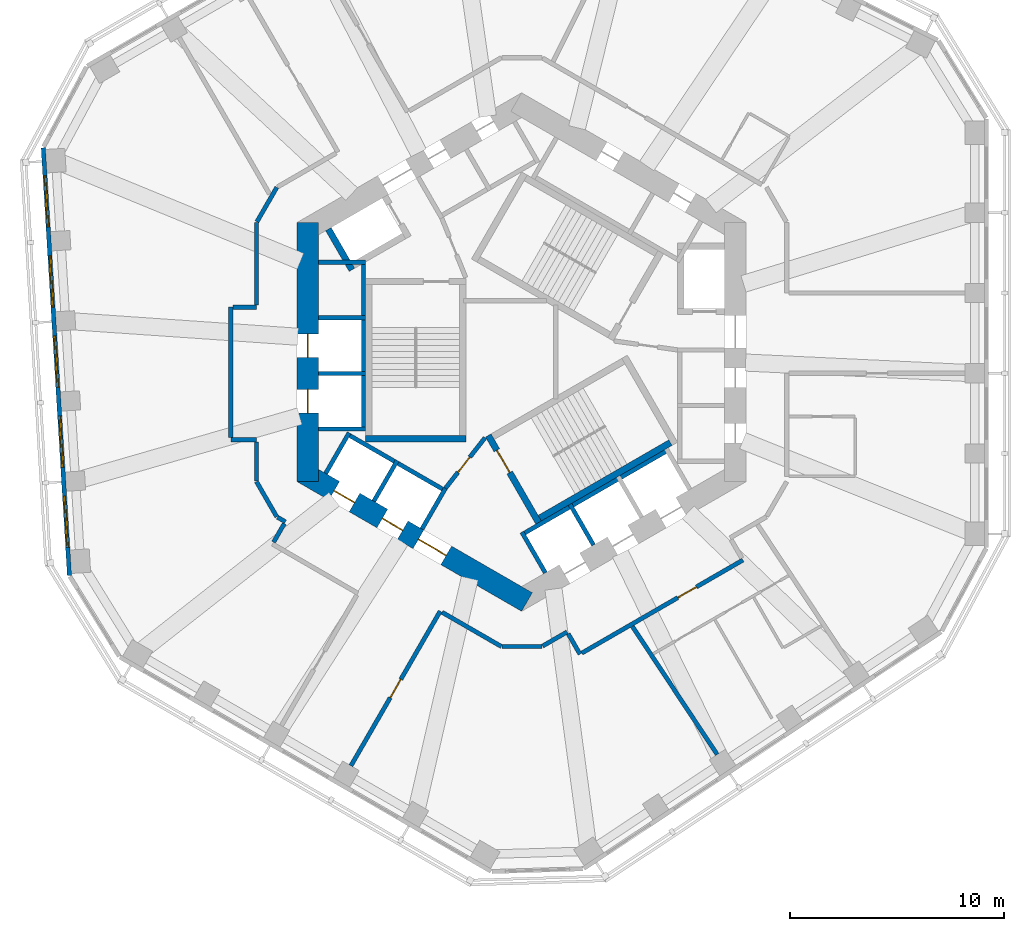
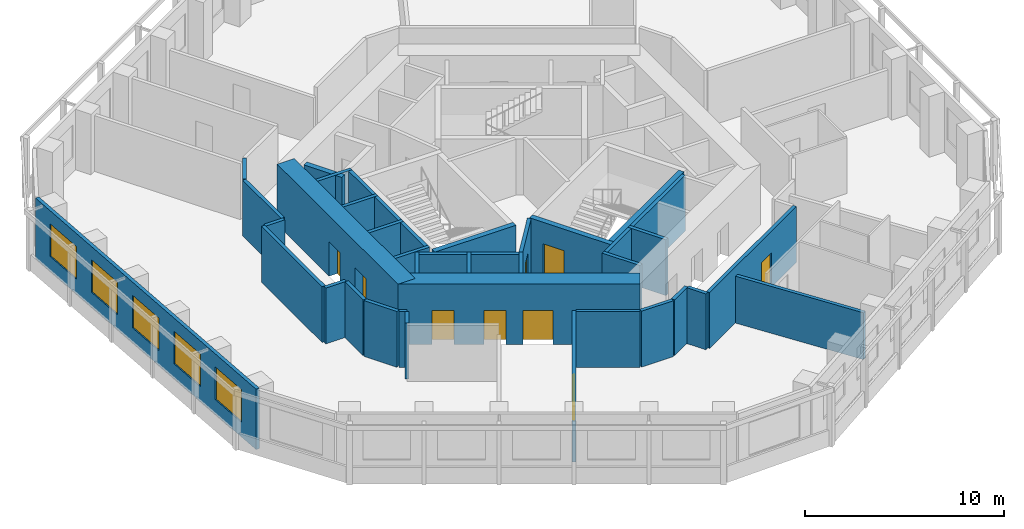
# One storey, part 4 of 10: 36 walls, 9 doors, 5 windows, 14 openings.
"""IFC4 building model written with IfcOpenShell, lengths in metres."""

import ifcopenshell
import ifcopenshell.guid

model = None  # the IFC model being written
_history = None  # IfcOwnerHistory: only IFC2X3 demands one
_inside = {}  # id of a spatial element -> (the spatial element, [elements in it])
_under = {}  # id of a project, library or spatial element -> (it, [spatial elements below it])
_declared = {}  # id of a project -> (the project, [libraries it declares])
_typed = {}  # id of a type object -> (the type object, [elements of that type])
_made_of = {}  # id of a material, layer set ... -> (it, [elements and type objects made of it])


def new_model(schema):
    """Start an empty IFC model of exactly this schema.

    Asked for "IFC4X3", IfcOpenShell would pick the latest addendum, in which some entities
    have other attributes; the version numbers below select the first issue.
    IFC2X3 requires an IfcOwnerHistory on every rooted entity: one is made here for all.
    """
    global model, _history
    if schema == "IFC4X3":
        model = ifcopenshell.file(schema_version=(4, 3, 0, 0))
    else:
        model = ifcopenshell.file(schema=schema)
    _inside.clear()
    _under.clear()
    _declared.clear()
    _typed.clear()
    _made_of.clear()
    _history = None
    if model.schema == "IFC2X3":
        org = make("IfcOrganization", Name="unknown")
        user = make(
            "IfcPersonAndOrganization",
            ThePerson=make("IfcPerson", FamilyName="unknown"),
            TheOrganization=org,
        )
        app = make(
            "IfcApplication",
            ApplicationDeveloper=org,
            Version="unknown",
            ApplicationFullName="unknown",
            ApplicationIdentifier="unknown",
        )
        _history = make(
            "IfcOwnerHistory",
            OwningUser=user,
            OwningApplication=app,
            ChangeAction="ADDED",
            CreationDate=0,
        )
    return model


def make(cls, **values):
    """One entity of the class cls with the attributes given. An attribute that is None is left unset."""
    return model.create_entity(
        cls, **{name: value for name, value in values.items() if value is not None}
    )


def rooted(cls, **values):
    """An entity with a GlobalId (a new one), such as an element, a storey or a relation."""
    return make(cls, GlobalId=ifcopenshell.guid.new(), OwnerHistory=_history, **values)


def si_unit(unit_type, name, prefix=None):
    """IfcSIUnit, for example si_unit("LENGTHUNIT", "METRE", prefix="MILLI")."""
    return make("IfcSIUnit", UnitType=unit_type, Prefix=prefix, Name=name)


def assignment(units):
    """IfcUnitAssignment: the units of a project."""
    return None if units is None else make("IfcUnitAssignment", Units=units)


def point(xyz):
    """IfcCartesianPoint."""
    return None if xyz is None else make("IfcCartesianPoint", Coordinates=xyz)


def direction(xyz):
    """IfcDirection."""
    return None if xyz is None else make("IfcDirection", DirectionRatios=xyz)


def frame(location, z_axis=None, x_axis=None):
    """IfcAxis2Placement3D, a coordinate frame: its origin and axes. An axis left out is left unset."""
    return make(
        "IfcAxis2Placement3D",
        Location=point(location),
        Axis=direction(z_axis),
        RefDirection=direction(x_axis),
    )


def frame_2d(location, x_axis=None):
    """IfcAxis2Placement2D, a coordinate frame in the plane: its origin and x axis."""
    return make(
        "IfcAxis2Placement2D", Location=point(location), RefDirection=direction(x_axis)
    )


def origin():
    """The frame at (0, 0, 0) with its axes left unset."""
    return frame((0.0, 0.0, 0.0))


def place(relative_to, where):
    """IfcLocalPlacement: puts the frame where relative to a parent placement (None: the world)."""
    return make(
        "IfcLocalPlacement", PlacementRelTo=relative_to, RelativePlacement=where
    )


def context(
    kind, dimensions, precision=None, world=None, true_north=None, identifier=None
):
    """IfcGeometricRepresentationContext, for example the 3D "Model" context."""
    return make(
        "IfcGeometricRepresentationContext",
        ContextIdentifier=identifier,
        ContextType=kind,
        CoordinateSpaceDimension=dimensions,
        Precision=precision,
        WorldCoordinateSystem=world,
        TrueNorth=true_north,
    )


def subcontext(parent, identifier, kind, view, scale=None):
    """IfcGeometricRepresentationSubContext, for example "Body" below "Model"."""
    return make(
        "IfcGeometricRepresentationSubContext",
        ContextIdentifier=identifier,
        ContextType=kind,
        ParentContext=parent,
        TargetScale=scale,
        TargetView=view,
    )


def project(units=None, contexts=None):
    """IfcProject with its units and contexts."""
    return rooted(
        "IfcProject",
        Name="project",
        RepresentationContexts=contexts,
        UnitsInContext=assignment(units),
    )


def spatial(cls, under=None, at=None, **own):
    """A site, building, storey or space (cls), placed at a placement, below another one or the project."""
    s = rooted(cls, ObjectPlacement=at, **own)
    if under is not None:
        _under.setdefault(under.id(), (under, []))[1].append(s)
    return s


def profile(cls, at=None, kind="AREA", **sizes):
    """A parametric profile (cls). Its sizes go by their IFC names, for example OverallWidth=200.0."""
    return make(cls, ProfileType=kind, Position=at, **sizes)


def rectangle(**sizes):
    """IfcRectangleProfileDef."""
    return profile("IfcRectangleProfileDef", **sizes)


def extrude(swept, where, along, depth):
    """IfcExtrudedAreaSolid: the profile swept, set in the frame where, extruded along a direction by depth."""
    return make(
        "IfcExtrudedAreaSolid",
        SweptArea=swept,
        Position=where,
        ExtrudedDirection=direction(along),
        Depth=depth,
    )


def shape(context_of_items, identifier, shape_type, items):
    """IfcShapeRepresentation: the items that make up one representation, for example the "Body"."""
    return make(
        "IfcShapeRepresentation",
        ContextOfItems=context_of_items,
        RepresentationIdentifier=identifier,
        RepresentationType=shape_type,
        Items=items,
    )


def material(Name=None, Category=None):
    """IfcMaterial."""
    return make("IfcMaterial", Name=Name, Category=Category)


def layer(
    of_material, thickness, ventilated=None, Name=None, Category=None, Priority=None
):
    """IfcMaterialLayer: one layer of a wall or slab, of a material (None: an air gap)."""
    return make(
        "IfcMaterialLayer",
        Material=of_material,
        LayerThickness=thickness,
        IsVentilated=ventilated,
        Name=Name,
        Category=Category,
        Priority=Priority,
    )


def layer_set(layers, Name=None):
    """IfcMaterialLayerSet."""
    return make("IfcMaterialLayerSet", MaterialLayers=layers, LayerSetName=Name)


def made_of(thing, what):
    """Note that an element or type object is made of a material, layer set ...; save() writes the relation."""
    if what is not None:
        _made_of.setdefault(what.id(), (what, []))[1].append(thing)
    return thing


def type_object(cls, material=None, **own):
    """A type object (cls), such as IfcWallType, which elements share."""
    return made_of(rooted(cls, **own), material)


def element(
    cls,
    number,
    at=None,
    inside=None,
    cuts=None,
    type_object=None,
    material=None,
    context=None,
    identifier="Body",
    shape_type=None,
    held_by="IfcProductDefinitionShape",
    body=None,
    shapes=None,
    **own,
):
    """One element of the class cls, such as IfcWall. Its Tag is "e" and its number.

    at: its placement. inside: the storey or other place that contains it. cuts: it is an
    opening in that element (IfcRelVoidsElement). A single representation is given by context,
    identifier, shape_type and body (its items); several are given by shapes. held_by: the class
    of the entity that holds the representations. save() writes the other relations.
    """
    e = rooted(cls, Tag="e%d" % number, ObjectPlacement=at, **own)
    if body is not None:
        shapes = [shape(context, identifier, shape_type, body)]
    if shapes is not None:
        e.Representation = make(held_by, Representations=shapes)
    if inside is not None:
        _inside.setdefault(inside.id(), (inside, []))[1].append(e)
    if cuts is not None:
        rooted(
            "IfcRelVoidsElement", RelatingBuildingElement=cuts, RelatedOpeningElement=e
        )
    if type_object is not None:
        _typed.setdefault(type_object.id(), (type_object, []))[1].append(e)
    return made_of(e, material)


def fill(opening, filler):
    """IfcRelFillsElement: the door or window that sits in an opening."""
    return rooted(
        "IfcRelFillsElement",
        RelatingOpeningElement=opening,
        RelatedBuildingElement=filler,
    )


def aggregate(whole, parts):
    """IfcRelAggregates: a whole, such as a stair, and the parts it consists of."""
    return rooted("IfcRelAggregates", RelatingObject=whole, RelatedObjects=parts)


def save(model, path):
    """Write the relations noted so far, then the file.

    IfcRelAggregates (storeys below a building ...), IfcRelContainedInSpatialStructure (elements
    in a storey), IfcRelDefinesByType, IfcRelAssociatesMaterial and IfcRelDeclares: one each for
    every whole, place, type object, material and project.
    """
    for whole, parts in _under.values():
        aggregate(whole, parts)
    for where, things in _inside.values():
        rooted(
            "IfcRelContainedInSpatialStructure",
            RelatedElements=things,
            RelatingStructure=where,
        )
    for kind, things in _typed.values():
        rooted("IfcRelDefinesByType", RelatedObjects=things, RelatingType=kind)
    for what, things in _made_of.values():
        rooted("IfcRelAssociatesMaterial", RelatedObjects=things, RelatingMaterial=what)
    for by, libraries in _declared.values():
        rooted("IfcRelDeclares", RelatingContext=by, RelatedDefinitions=libraries)
    model.write(path)


model = new_model("IFC4")

# Units and contexts
model_context = context("Model", 3, precision=1e-05, world=origin(), true_north=direction((0.0, 1.0)))
body_context = subcontext(model_context, "Body", "Model", "MODEL_VIEW")
ifc_project = project(units=[si_unit("LENGTHUNIT", "METRE"), si_unit("AREAUNIT", "SQUARE_METRE"), si_unit("VOLUMEUNIT", "CUBIC_METRE"), si_unit("PLANEANGLEUNIT", "RADIAN"), si_unit("MASSUNIT", "GRAM", prefix="KILO")], contexts=[model_context])

# Site, building, storey
site_placement = place(None, origin())
site = spatial("IfcSite", under=ifc_project, at=site_placement, CompositionType="ELEMENT")
building_placement = place(site_placement, origin())
building = spatial("IfcBuilding", under=site, at=building_placement, Name="Vanh Sen Convention Tower", CompositionType="ELEMENT")
storey_placement = place(building_placement, frame((0.0, 0.0, 191.0)))
storey = spatial("IfcBuildingStorey", under=building, at=storey_placement, Name="L47", CompositionType="ELEMENT", Elevation=191.0)

# Wall, openings, doors
ifc_material_1 = material(Name="Concrete C80/95", Category="concrete")
ifc_layer_1 = layer(ifc_material_1, 1.0)
ifc_layer_set_1 = layer_set([ifc_layer_1], Name="Concrete C80/95")
wall_type_1 = type_object("IfcWallType", Name="Core outer wall 1000 C80/95", PredefinedType="SHEAR", material=ifc_layer_set_1)
wall_1_placement = place(storey_placement, frame((-10.0, 6.062255859375, 0.0), z_axis=(0.0, 0.0, 1.0), x_axis=(0.0, -1.0, 0.0)))
wall_1 = element("IfcWall", 1, at=wall_1_placement, inside=storey, type_object=wall_type_1, Name="Core wall face W L47", PredefinedType="SHEAR", context=body_context, shape_type="SweptSolid", body=[
    extrude(rectangle(XDim=12.12451171875, YDim=1.0, at=frame_2d((6.062255859375, 0.0))), origin(), (0.0, 0.0, 1.0), 3.699951171875),
])
opening_1_placement = place(wall_1_placement, frame((5.212158203125, 0.0, 0.0)))
opening_1 = element("IfcOpeningElement", 2, at=opening_1_placement, cuts=wall_1, Name="Opening LD-HR1", PredefinedType="OPENING", context=body_context, shape_type="SweptSolid", body=[
    extrude(rectangle(XDim=1.10009765625, YDim=2.10009765625, at=frame_2d((0.550048828125, 1.050048828125))), frame((0.0, 0.510009765625, 0.0), z_axis=(0.0, -1.0, 0.0), x_axis=(1.0, 0.0, 0.0)), (0.0, 0.0, 1.0), 1.02001953125),
])
opening_2_placement = place(wall_1_placement, frame((7.812255859375, 0.0, 0.0)))
opening_2 = element("IfcOpeningElement", 3, at=opening_2_placement, cuts=wall_1, Name="Opening LD-HR2", PredefinedType="OPENING", context=body_context, shape_type="SweptSolid", body=[
    extrude(rectangle(XDim=1.10009765625, YDim=2.10009765625, at=frame_2d((0.550048828125, 1.050048828125))), frame((0.0, 0.510009765625, 0.0), z_axis=(0.0, -1.0, 0.0), x_axis=(1.0, 0.0, 0.0)), (0.0, 0.0, 1.0), 1.02001953125),
])
ifc_material_2 = material(Name="Stainless steel", Category="steel")
door_type_1 = type_object("IfcDoorType", Name="Lift landing door 1100", OperationType="DOUBLE_DOOR_SLIDING", PredefinedType="DOOR", material=ifc_material_2)
door_1_placement = place(opening_1_placement, origin())
door_1 = element("IfcDoor", 4, at=door_1_placement, inside=storey, type_object=door_type_1, Name="Lift HR1 landing door LD-HR1", OperationType="DOUBLE_DOOR_SLIDING", OverallHeight=2.10009765625, OverallWidth=1.10009765625, PredefinedType="DOOR", context=body_context, shape_type="SweptSolid", body=[
    extrude(rectangle(XDim=1.10009765625, YDim=2.10009765625, at=frame_2d((0.550048828125, 1.050048828125))), frame((0.0, 0.02490234375, 0.0), z_axis=(0.0, -1.0, 0.0), x_axis=(1.0, 0.0, 0.0)), (0.0, 0.0, 1.0), 0.050048828125),
])
fill(opening_1, door_1)
door_2_placement = place(opening_2_placement, origin())
door_2 = element("IfcDoor", 5, at=door_2_placement, inside=storey, type_object=door_type_1, Name="Lift HR2 landing door LD-HR2", OperationType="DOUBLE_DOOR_SLIDING", OverallHeight=2.10009765625, OverallWidth=1.10009765625, PredefinedType="DOOR", context=body_context, shape_type="SweptSolid", body=[
    extrude(rectangle(XDim=1.10009765625, YDim=2.10009765625, at=frame_2d((0.550048828125, 1.050048828125))), frame((0.0, 0.02490234375, 0.0), z_axis=(0.0, -1.0, 0.0), x_axis=(1.0, 0.0, 0.0)), (0.0, 0.0, 1.0), 0.050048828125),
])
fill(opening_2, door_2)

wall_2_placement = place(storey_placement, frame((-10.25, -5.629150390625, 0.0), z_axis=(0.0, 0.0, 1.0), x_axis=(0.866022616891, -0.50000482701, 0.0)))
wall_2 = element("IfcWall", 6, at=wall_2_placement, inside=storey, type_object=wall_type_1, Name="Core wall face SW L47", PredefinedType="SHEAR", context=body_context, shape_type="SweptSolid", body=[
    extrude(rectangle(XDim=12.12451171875, YDim=1.0, at=frame_2d((6.062255859375, 0.0))), origin(), (0.0, 0.0, 1.0), 3.699951171875),
])
opening_3_placement = place(wall_2_placement, frame((6.26220703125, 0.0, 0.0)))
opening_3 = element("IfcOpeningElement", 7, at=opening_3_placement, cuts=wall_2, Name="Opening D47003", PredefinedType="OPENING", context=body_context, shape_type="SweptSolid", body=[
    extrude(rectangle(XDim=1.5, YDim=2.10009765625, at=frame_2d((0.75, 1.050048828125))), frame((0.0, 0.510009765625, 0.0), z_axis=(0.0, -1.0, 0.0), x_axis=(1.0, 0.0, 0.0)), (0.0, 0.0, 1.0), 1.02001953125),
])
opening_4_placement = place(wall_2_placement, frame((1.712158203125, 0.0, 0.0)))
opening_4 = element("IfcOpeningElement", 8, at=opening_4_placement, cuts=wall_2, Name="Opening LD-HR3", PredefinedType="OPENING", context=body_context, shape_type="SweptSolid", body=[
    extrude(rectangle(XDim=1.10009765625, YDim=2.10009765625, at=frame_2d((0.550048828125, 1.050048828125))), frame((0.0, 0.510009765625, 0.0), z_axis=(0.0, -1.0, 0.0), x_axis=(1.0, 0.0, 0.0)), (0.0, 0.0, 1.0), 1.02001953125),
])
opening_5_placement = place(wall_2_placement, frame((4.312255859375, 0.0, 0.0)))
opening_5 = element("IfcOpeningElement", 9, at=opening_5_placement, cuts=wall_2, Name="Opening LD-HR4", PredefinedType="OPENING", context=body_context, shape_type="SweptSolid", body=[
    extrude(rectangle(XDim=1.10009765625, YDim=2.10009765625, at=frame_2d((0.550048828125, 1.050048828125))), frame((0.0, 0.510009765625, 0.0), z_axis=(0.0, -1.0, 0.0), x_axis=(1.0, 0.0, 0.0)), (0.0, 0.0, 1.0), 1.02001953125),
])
door_3_placement = place(opening_4_placement, origin())
door_3 = element("IfcDoor", 10, at=door_3_placement, inside=storey, type_object=door_type_1, Name="Lift HR3 landing door LD-HR3", OperationType="DOUBLE_DOOR_SLIDING", OverallHeight=2.10009765625, OverallWidth=1.10009765625, PredefinedType="DOOR", context=body_context, shape_type="SweptSolid", body=[
    extrude(rectangle(XDim=1.10009765625, YDim=2.10009765625, at=frame_2d((0.550048828125, 1.050048828125))), frame((0.0, 0.02490234375, 0.0), z_axis=(0.0, -1.0, 0.0), x_axis=(1.0, 0.0, 0.0)), (0.0, 0.0, 1.0), 0.050048828125),
])
fill(opening_4, door_3)
door_4_placement = place(opening_5_placement, origin())
door_4 = element("IfcDoor", 11, at=door_4_placement, inside=storey, type_object=door_type_1, Name="Lift HR4 landing door LD-HR4", OperationType="DOUBLE_DOOR_SLIDING", OverallHeight=2.10009765625, OverallWidth=1.10009765625, PredefinedType="DOOR", context=body_context, shape_type="SweptSolid", body=[
    extrude(rectangle(XDim=1.10009765625, YDim=2.10009765625, at=frame_2d((0.550048828125, 1.050048828125))), frame((0.0, 0.02490234375, 0.0), z_axis=(0.0, -1.0, 0.0), x_axis=(1.0, 0.0, 0.0)), (0.0, 0.0, 1.0), 0.050048828125),
])
fill(opening_5, door_4)
ifc_material_3 = material(Name="Steel S355", Category="steel")
door_type_2 = type_object("IfcDoorType", Name="Stair lobby door 1500", OperationType="DOUBLE_DOOR_SINGLE_SWING", PredefinedType="DOOR", material=ifc_material_3)
door_5_placement = place(opening_3_placement, origin())
door_5 = element("IfcDoor", 12, at=door_5_placement, inside=storey, type_object=door_type_2, Name="Stair lobby door D47003", OperationType="DOUBLE_DOOR_SINGLE_SWING", OverallHeight=2.10009765625, OverallWidth=1.5, PredefinedType="DOOR", context=body_context, shape_type="SweptSolid", body=[
    extrude(rectangle(XDim=1.5, YDim=2.10009765625, at=frame_2d((0.75, 1.050048828125))), frame((0.0, 0.02490234375, 0.0), z_axis=(0.0, -1.0, 0.0), x_axis=(1.0, 0.0, 0.0)), (0.0, 0.0, 1.0), 0.050048828125),
])
fill(opening_3, door_5)

# Walls
ifc_material_4 = material(Name="Gypsum board on steel studs with mineral wool", Category="steel")
ifc_layer_2 = layer(ifc_material_4, 0.199951171875)
ifc_layer_set_2 = layer_set([ifc_layer_2], Name="Gypsum board on steel studs with mineral wool")
wall_type_2 = type_object("IfcWallType", Name="Corridor partition wall 200", PredefinedType="PARTITIONING", material=ifc_layer_set_2)
wall_3_placement = place(storey_placement, frame((-13.60107421875, -4.10107421875, 0.0), z_axis=(0.0, 0.0, 1.0), x_axis=(1.0, 0.0, 0.0)))
element("IfcWall", 13, at=wall_3_placement, inside=storey, type_object=wall_type_2, Name="Corridor partition wall 200", PredefinedType="PARTITIONING", context=body_context, shape_type="SweptSolid", body=[
    extrude(rectangle(XDim=1.201171875, YDim=0.199951171875, at=frame_2d((0.6005859375, 0.0))), origin(), (0.0, 0.0, 1.0), 3.419921875),
])
wall_4_placement = place(storey_placement, frame((-13.60107421875, 2.10107421875, 0.0), z_axis=(0.0, 0.0, 1.0), x_axis=(0.0, -1.0, 0.0)))
element("IfcWall", 14, at=wall_4_placement, inside=storey, type_object=wall_type_2, Name="Corridor partition wall 200", PredefinedType="PARTITIONING", context=body_context, shape_type="SweptSolid", body=[
    extrude(rectangle(XDim=6.10205078125, YDim=0.199951171875, at=frame_2d((3.051025390625, 0.0))), origin(), (0.0, 0.0, 1.0), 3.419921875),
])
wall_5_placement = place(storey_placement, frame((-12.39990234375, -6.062255859375, 0.0), z_axis=(0.0, 0.0, 1.0), x_axis=(0.500022797313, -0.86601224135, 0.0)))
element("IfcWall", 15, at=wall_5_placement, inside=storey, type_object=wall_type_2, Name="Corridor partition wall 200", PredefinedType="PARTITIONING", context=body_context, shape_type="SweptSolid", body=[
    extrude(rectangle(XDim=1.89990234375, YDim=0.199951171875, at=frame_2d((0.949951171875, 0.0))), origin(), (0.0, 0.0, 1.0), 3.419921875),
])
wall_6_placement = place(storey_placement, frame((-12.39990234375, -4.200927734375, 0.0), z_axis=(0.0, 0.0, 1.0), x_axis=(0.0, -1.0, 0.0)))
element("IfcWall", 16, at=wall_6_placement, inside=storey, type_object=wall_type_2, Name="Corridor partition wall 200", PredefinedType="PARTITIONING", context=body_context, shape_type="SweptSolid", body=[
    extrude(rectangle(XDim=1.8212890625, YDim=0.199951171875, at=frame_2d((0.91064453125, 0.0))), origin(), (0.0, 0.0, 1.0), 3.419921875),
])
wall_7_placement = place(storey_placement, frame((-12.39990234375, 2.10107421875, 0.0), z_axis=(0.0, 0.0, 1.0), x_axis=(-1.0, 0.0, 0.0)))
element("IfcWall", 17, at=wall_7_placement, inside=storey, type_object=wall_type_2, Name="Corridor partition wall 200", PredefinedType="PARTITIONING", context=body_context, shape_type="SweptSolid", body=[
    extrude(rectangle(XDim=1.10107421875, YDim=0.199951171875, at=frame_2d((0.550537109375, 0.0))), origin(), (0.0, 0.0, 1.0), 3.419921875),
])
wall_8_placement = place(storey_placement, frame((-12.39990234375, 6.062255859375, 0.0), z_axis=(0.0, 0.0, 1.0), x_axis=(0.0, -1.0, 0.0)))
element("IfcWall", 18, at=wall_8_placement, inside=storey, type_object=wall_type_2, Name="Corridor partition wall 200", PredefinedType="PARTITIONING", context=body_context, shape_type="SweptSolid", body=[
    extrude(rectangle(XDim=3.861328125, YDim=0.199951171875, at=frame_2d((1.9306640625, 0.0))), origin(), (0.0, 0.0, 1.0), 3.419921875),
])
wall_9_placement = place(storey_placement, frame((-11.449951171875, 7.70751953125, 0.0), z_axis=(0.0, 0.0, 1.0), x_axis=(-0.499964847546, -0.866045698112, 0.0)))
element("IfcWall", 19, at=wall_9_placement, inside=storey, type_object=wall_type_2, Name="Corridor partition wall 200", PredefinedType="PARTITIONING", context=body_context, shape_type="SweptSolid", body=[
    extrude(rectangle(XDim=1.860107421875, YDim=0.199951171875, at=frame_2d((0.93017578125, 0.0))), origin(), (0.0, 0.0, 1.0), 3.419921875),
])
wall_10_placement = place(storey_placement, frame((-11.415283203125, -7.7275390625, 0.0), z_axis=(0.0, 0.0, 1.0), x_axis=(0.865915281873, -0.500190688257, 0.0)))
element("IfcWall", 20, at=wall_10_placement, inside=storey, type_object=wall_type_2, Name="Corridor partition wall 200", PredefinedType="PARTITIONING", context=body_context, shape_type="SweptSolid", body=[
    extrude(rectangle(XDim=0.421142578125, YDim=0.199951171875, at=frame_2d((0.21044921875, 0.0))), origin(), (0.0, 0.0, 1.0), 3.419921875),
])
wall_11_placement = place(storey_placement, frame((-11.1005859375, -8.02490234375, 0.0), z_axis=(0.0, 0.0, 1.0), x_axis=(-0.500074377092, -0.865982457891, 0.0)))
element("IfcWall", 21, at=wall_11_placement, inside=storey, type_object=wall_type_2, Name="Corridor partition wall 200", PredefinedType="PARTITIONING", context=body_context, shape_type="SweptSolid", body=[
    extrude(rectangle(XDim=1.000732421875, YDim=0.199951171875, at=frame_2d((0.50048828125, 0.0))), origin(), (0.0, 0.0, 1.0), 3.419921875),
])

# Wall, opening, door
wall_12_placement = place(storey_placement, frame((-7.983642578125, -19.3505859375, 0.0), z_axis=(0.0, 0.0, 1.0), x_axis=(0.500010139422, 0.866019549707, 0.0)))
wall_12 = element("IfcWall", 22, at=wall_12_placement, inside=storey, type_object=wall_type_2, Name="Corridor partition wall 200", PredefinedType="PARTITIONING", context=body_context, shape_type="SweptSolid", body=[
    extrude(rectangle(XDim=8.349853515625, YDim=0.199951171875, at=frame_2d((4.1748046875, 0.0))), origin(), (0.0, 0.0, 1.0), 3.419921875),
])
opening_6_placement = place(wall_12_placement, frame((3.675048828125, 0.0, 0.0)))
opening_6 = element("IfcOpeningElement", 23, at=opening_6_placement, cuts=wall_12, Name="Opening D47106", PredefinedType="OPENING", context=body_context, shape_type="SweptSolid", body=[
    extrude(rectangle(XDim=1.0, YDim=2.10009765625, at=frame_2d((0.5, 1.050048828125))), frame((0.0, 0.10986328125, 0.0), z_axis=(0.0, -1.0, 0.0), x_axis=(1.0, 0.0, 0.0)), (0.0, 0.0, 1.0), 0.219970703125),
])
ifc_material_5 = material(Name="Glazed fire door in steel frame", Category="steel")
door_type_3 = type_object("IfcDoorType", Name="Tenant entrance door 1000", OperationType="SINGLE_SWING_LEFT", PredefinedType="DOOR", material=ifc_material_5)
door_6_placement = place(opening_6_placement, origin())
door_6 = element("IfcDoor", 24, at=door_6_placement, inside=storey, type_object=door_type_3, Name="Tenant suite entrance door D47106", OperationType="SINGLE_SWING_LEFT", OverallHeight=2.10009765625, OverallWidth=1.0, PredefinedType="DOOR", context=body_context, shape_type="SweptSolid", body=[
    extrude(rectangle(XDim=1.0, YDim=2.10009765625, at=frame_2d((0.5, 1.050048828125))), frame((0.0, 0.02490234375, 0.0), z_axis=(0.0, -1.0, 0.0), x_axis=(1.0, 0.0, 0.0)), (0.0, 0.0, 1.0), 0.050048828125),
])
fill(opening_6, door_6)

# Walls
wall_13_placement = place(storey_placement, frame((-3.721923828125, -12.16943359375, 0.0), z_axis=(0.0, 0.0, 1.0), x_axis=(0.866033163891, -0.499986558861, 0.0)))
element("IfcWall", 25, at=wall_13_placement, inside=storey, type_object=wall_type_2, Name="Corridor partition wall 200", PredefinedType="PARTITIONING", context=body_context, shape_type="SweptSolid", body=[
    extrude(rectangle(XDim=3.20068359375, YDim=0.199951171875, at=frame_2d((1.600341796875, 0.0))), origin(), (0.0, 0.0, 1.0), 3.419921875),
])
wall_14_placement = place(storey_placement, frame((-0.909912109375, -13.769775390625, 0.0), z_axis=(0.0, 0.0, 1.0), x_axis=(1.0, 0.0, 0.0)))
element("IfcWall", 26, at=wall_14_placement, inside=storey, type_object=wall_type_2, Name="Corridor partition wall 200", PredefinedType="PARTITIONING", context=body_context, shape_type="SweptSolid", body=[
    extrude(rectangle(XDim=1.85986328125, YDim=0.199951171875, at=frame_2d((0.929931640625, 0.0))), origin(), (0.0, 0.0, 1.0), 3.419921875),
])
wall_15_placement = place(storey_placement, frame((0.984619140625, -13.749755859375, 0.0), z_axis=(0.0, 0.0, 1.0), x_axis=(0.866028661061, 0.499994358189, 0.0)))
element("IfcWall", 27, at=wall_15_placement, inside=storey, type_object=wall_type_2, Name="Corridor partition wall 200", PredefinedType="PARTITIONING", context=body_context, shape_type="SweptSolid", body=[
    extrude(rectangle(XDim=1.3212890625, YDim=0.199951171875, at=frame_2d((0.66064453125, 0.0))), origin(), (0.0, 0.0, 1.0), 3.419921875),
])
wall_16_placement = place(storey_placement, frame((2.1787109375, -13.17578125, 0.0), z_axis=(0.0, 0.0, 1.0), x_axis=(0.499978356969, -0.866037899034, 0.0)))
element("IfcWall", 28, at=wall_16_placement, inside=storey, type_object=wall_type_2, Name="Corridor partition wall 200", PredefinedType="PARTITIONING", context=body_context, shape_type="SweptSolid", body=[
    extrude(rectangle(XDim=1.10107421875, YDim=0.199951171875, at=frame_2d((0.550537109375, 0.0))), origin(), (0.0, 0.0, 1.0), 3.419921875),
])

# Wall, opening, door
wall_17_placement = place(storey_placement, frame((2.81591796875, -14.079345703125, 0.0), z_axis=(0.0, 0.0, 1.0), x_axis=(0.866021128829, 0.500007404367, 0.0)))
wall_17 = element("IfcWall", 29, at=wall_17_placement, inside=storey, type_object=wall_type_2, Name="Corridor partition wall 200", PredefinedType="PARTITIONING", context=body_context, shape_type="SweptSolid", body=[
    extrude(rectangle(XDim=8.701904296875, YDim=0.199951171875, at=frame_2d((4.35107421875, 0.0))), origin(), (0.0, 0.0, 1.0), 3.419921875),
])
opening_7_placement = place(wall_17_placement, frame((5.18408203125, 0.0, 0.0)))
opening_7 = element("IfcOpeningElement", 30, at=opening_7_placement, cuts=wall_17, Name="Opening D47107", PredefinedType="OPENING", context=body_context, shape_type="SweptSolid", body=[
    extrude(rectangle(XDim=1.0, YDim=2.10009765625, at=frame_2d((0.5, 1.050048828125))), frame((0.0, 0.10986328125, 0.0), z_axis=(0.0, -1.0, 0.0), x_axis=(1.0, 0.0, 0.0)), (0.0, 0.0, 1.0), 0.219970703125),
])
ifc_material_6 = material(Name="Timber fire door in steel frame", Category="steel")
door_type_4 = type_object("IfcDoorType", Name="Floor room door 1000", OperationType="SINGLE_SWING_LEFT", PredefinedType="DOOR", material=ifc_material_6)
door_7_placement = place(opening_7_placement, origin())
door_7 = element("IfcDoor", 31, at=door_7_placement, inside=storey, type_object=door_type_4, Name="Meeting and amenity room door D47107", OperationType="SINGLE_SWING_LEFT", OverallHeight=2.10009765625, OverallWidth=1.0, PredefinedType="DOOR", context=body_context, shape_type="SweptSolid", body=[
    extrude(rectangle(XDim=1.0, YDim=2.10009765625, at=frame_2d((0.5, 1.050048828125))), frame((0.0, 0.02490234375, 0.0), z_axis=(0.0, -1.0, 0.0), x_axis=(1.0, 0.0, 0.0)), (0.0, 0.0, 1.0), 0.050048828125),
])
fill(opening_7, door_7)

# Wall, openings, windows
ifc_material_7 = material(Name="Insulated lightweight infill wall")
ifc_layer_3 = layer(ifc_material_7, 0.199951171875)
ifc_layer_set_3 = layer_set([ifc_layer_3], Name="Insulated lightweight infill wall")
wall_type_3 = type_object("IfcWallType", Name="External wall 200", PredefinedType="STANDARD", material=ifc_layer_set_3)
wall_18_placement = place(storey_placement, frame((-22.375, 9.55712890625, 0.0), z_axis=(0.0, 0.0, 1.0), x_axis=(0.061036015339, -0.998135564356, 0.0)))
wall_18 = element("IfcWall", 32, at=wall_18_placement, inside=storey, type_object=wall_type_3, Name="External wall W L47", PredefinedType="STANDARD", context=body_context, shape_type="SweptSolid", body=[
    extrude(rectangle(XDim=20.043701171875, YDim=0.199951171875, at=frame_2d((10.02197265625, 0.0))), origin(), (0.0, 0.0, 1.0), 3.699951171875),
])
opening_8_placement = place(wall_18_placement, frame((1.312744140625, 0.0, 0.89990234375)))
opening_8 = element("IfcOpeningElement", 33, at=opening_8_placement, cuts=wall_18, Name="Opening WO1-W1", PredefinedType="OPENING", context=body_context, shape_type="SweptSolid", body=[
    extrude(rectangle(XDim=2.39990234375, YDim=2.0, at=frame_2d((1.199951171875, 1.0))), frame((0.0, 0.10986328125, 0.0), z_axis=(0.0, -1.0, 0.0), x_axis=(1.0, 0.0, 0.0)), (0.0, 0.0, 1.0), 0.219970703125),
])
opening_9_placement = place(wall_18_placement, frame((5.06689453125, 0.0, 0.89990234375)))
opening_9 = element("IfcOpeningElement", 34, at=opening_9_placement, cuts=wall_18, Name="Opening WO1-W2", PredefinedType="OPENING", context=body_context, shape_type="SweptSolid", body=[
    extrude(rectangle(XDim=2.39990234375, YDim=2.0, at=frame_2d((1.199951171875, 1.0))), frame((0.0, 0.10986328125, 0.0), z_axis=(0.0, -1.0, 0.0), x_axis=(1.0, 0.0, 0.0)), (0.0, 0.0, 1.0), 0.219970703125),
])
opening_10_placement = place(wall_18_placement, frame((8.821044921875, 0.0, 0.89990234375)))
opening_10 = element("IfcOpeningElement", 35, at=opening_10_placement, cuts=wall_18, Name="Opening WO1-W3", PredefinedType="OPENING", context=body_context, shape_type="SweptSolid", body=[
    extrude(rectangle(XDim=2.39990234375, YDim=2.0, at=frame_2d((1.199951171875, 1.0))), frame((0.0, 0.10986328125, 0.0), z_axis=(0.0, -1.0, 0.0), x_axis=(1.0, 0.0, 0.0)), (0.0, 0.0, 1.0), 0.219970703125),
])
opening_11_placement = place(wall_18_placement, frame((12.5751953125, 0.0, 0.89990234375)))
opening_11 = element("IfcOpeningElement", 36, at=opening_11_placement, cuts=wall_18, Name="Opening WO1-W4", PredefinedType="OPENING", context=body_context, shape_type="SweptSolid", body=[
    extrude(rectangle(XDim=2.39990234375, YDim=2.0, at=frame_2d((1.199951171875, 1.0))), frame((0.0, 0.10986328125, 0.0), z_axis=(0.0, -1.0, 0.0), x_axis=(1.0, 0.0, 0.0)), (0.0, 0.0, 1.0), 0.219970703125),
])
opening_12_placement = place(wall_18_placement, frame((16.329345703125, 0.0, 0.89990234375)))
opening_12 = element("IfcOpeningElement", 37, at=opening_12_placement, cuts=wall_18, Name="Opening WO1-W5", PredefinedType="OPENING", context=body_context, shape_type="SweptSolid", body=[
    extrude(rectangle(XDim=2.39990234375, YDim=2.0, at=frame_2d((1.199951171875, 1.0))), frame((0.0, 0.10986328125, 0.0), z_axis=(0.0, -1.0, 0.0), x_axis=(1.0, 0.0, 0.0)), (0.0, 0.0, 1.0), 0.219970703125),
])
ifc_material_8 = material(Name="Aluminium frame with clear low-emissivity glass", Category="aluminium")
window_type = type_object("IfcWindowType", Name="Office window 2400 x 2000", PartitioningType="SINGLE_PANEL", PredefinedType="WINDOW", material=ifc_material_8)
window_1_placement = place(opening_8_placement, origin())
window_1 = element("IfcWindow", 38, at=window_1_placement, inside=storey, type_object=window_type, Name="Window WO1-W1", OverallHeight=2.0, OverallWidth=2.39990234375, PartitioningType="SINGLE_PANEL", PredefinedType="WINDOW", context=body_context, shape_type="SweptSolid", body=[
    extrude(rectangle(XDim=2.39990234375, YDim=2.0, at=frame_2d((1.199951171875, 1.0))), frame((0.0, 0.030029296875, 0.0), z_axis=(0.0, -1.0, 0.0), x_axis=(1.0, 0.0, 0.0)), (0.0, 0.0, 1.0), 0.06005859375),
])
fill(opening_8, window_1)
window_2_placement = place(opening_9_placement, origin())
window_2 = element("IfcWindow", 39, at=window_2_placement, inside=storey, type_object=window_type, Name="Window WO1-W2", OverallHeight=2.0, OverallWidth=2.39990234375, PartitioningType="SINGLE_PANEL", PredefinedType="WINDOW", context=body_context, shape_type="SweptSolid", body=[
    extrude(rectangle(XDim=2.39990234375, YDim=2.0, at=frame_2d((1.199951171875, 1.0))), frame((0.0, 0.030029296875, 0.0), z_axis=(0.0, -1.0, 0.0), x_axis=(1.0, 0.0, 0.0)), (0.0, 0.0, 1.0), 0.06005859375),
])
fill(opening_9, window_2)
window_3_placement = place(opening_10_placement, origin())
window_3 = element("IfcWindow", 40, at=window_3_placement, inside=storey, type_object=window_type, Name="Window WO1-W3", OverallHeight=2.0, OverallWidth=2.39990234375, PartitioningType="SINGLE_PANEL", PredefinedType="WINDOW", context=body_context, shape_type="SweptSolid", body=[
    extrude(rectangle(XDim=2.39990234375, YDim=2.0, at=frame_2d((1.199951171875, 1.0))), frame((0.0, 0.030029296875, 0.0), z_axis=(0.0, -1.0, 0.0), x_axis=(1.0, 0.0, 0.0)), (0.0, 0.0, 1.0), 0.06005859375),
])
fill(opening_10, window_3)
window_4_placement = place(opening_11_placement, origin())
window_4 = element("IfcWindow", 41, at=window_4_placement, inside=storey, type_object=window_type, Name="Window WO1-W4", OverallHeight=2.0, OverallWidth=2.39990234375, PartitioningType="SINGLE_PANEL", PredefinedType="WINDOW", context=body_context, shape_type="SweptSolid", body=[
    extrude(rectangle(XDim=2.39990234375, YDim=2.0, at=frame_2d((1.199951171875, 1.0))), frame((0.0, 0.030029296875, 0.0), z_axis=(0.0, -1.0, 0.0), x_axis=(1.0, 0.0, 0.0)), (0.0, 0.0, 1.0), 0.06005859375),
])
fill(opening_11, window_4)
window_5_placement = place(opening_12_placement, origin())
window_5 = element("IfcWindow", 42, at=window_5_placement, inside=storey, type_object=window_type, Name="Window WO1-W5", OverallHeight=2.0, OverallWidth=2.39990234375, PartitioningType="SINGLE_PANEL", PredefinedType="WINDOW", context=body_context, shape_type="SweptSolid", body=[
    extrude(rectangle(XDim=2.39990234375, YDim=2.0, at=frame_2d((1.199951171875, 1.0))), frame((0.0, 0.030029296875, 0.0), z_axis=(0.0, -1.0, 0.0), x_axis=(1.0, 0.0, 0.0)), (0.0, 0.0, 1.0), 0.06005859375),
])
fill(opening_12, window_5)

# Walls
ifc_material_9 = material(Name="Concrete C60/75", Category="concrete")
ifc_layer_4 = layer(ifc_material_9, 0.300048828125)
ifc_layer_set_4 = layer_set([ifc_layer_4], Name="Concrete C60/75")
wall_type_4 = type_object("IfcWallType", Name="Fire-fighting lift shaft wall 300", PredefinedType="SHEAR", material=ifc_layer_set_4)
wall_19_placement = place(storey_placement, frame((-7.936767578125, 3.846923828125, 0.0), z_axis=(0.0, 0.0, 1.0), x_axis=(-0.50002983664, 0.866008176907, 0.0)))
element("IfcWall", 43, at=wall_19_placement, inside=storey, type_object=wall_type_4, Name="Fire-fighting lift shaft wall L47", PredefinedType="SHEAR", context=body_context, shape_type="SweptSolid", body=[
    extrude(rectangle(XDim=2.199951171875, YDim=0.300048828125, at=frame_2d((1.10009765625, 0.0))), origin(), (0.0, 0.0, 1.0), 3.419921875),
])
ifc_material_10 = material(Name="Concrete C40/50", Category="concrete")
ifc_layer_5 = layer(ifc_material_10, 0.199951171875)
ifc_layer_set_5 = layer_set([ifc_layer_5], Name="Concrete C40/50")
wall_type_5 = type_object("IfcWallType", Name="Lift shaft wall 200", PredefinedType="PARTITIONING", material=ifc_layer_set_5)
wall_20_placement = place(storey_placement, frame((-7.39990234375, 4.300048828125, 0.0), z_axis=(0.0, 0.0, 1.0), x_axis=(0.0, -1.0, 0.0)))
element("IfcWall", 44, at=wall_20_placement, inside=storey, type_object=wall_type_5, Name="Lift shaft wall L47", PredefinedType="PARTITIONING", context=body_context, shape_type="SweptSolid", body=[
    extrude(rectangle(XDim=8.0, YDim=0.199951171875, at=frame_2d((4.0, 0.0))), origin(), (0.0, 0.0, 1.0), 3.419921875),
])
for number, where, z_axis, x_axis, name in (
    (45, (-7.300048828125, 4.199951171875, 0.0), (0.0, 0.0, 1.0), (-1.0, 0.0, 0.0), "Lift shaft wall L47"),
    (46, (-7.300048828125, 1.60009765625, 0.0), (0.0, 0.0, 1.0), (-1.0, 0.0, 0.0), "Lift shaft wall L47"),
    (47, (-7.300048828125, -1.0, 0.0), (0.0, 0.0, 1.0), (-1.0, 0.0, 0.0), "Lift shaft wall L47"),
    (48, (-7.300048828125, -3.60009765625, 0.0), (0.0, 0.0, 1.0), (-1.0, 0.0, 0.0), "Lift shaft wall L47"),
):
    element("IfcWall", number, at=place(storey_placement, frame(where, z_axis=z_axis, x_axis=x_axis)), inside=storey, type_object=wall_type_5, Name=name, PredefinedType="PARTITIONING", context=body_context, shape_type="SweptSolid", body=[
        extrude(rectangle(XDim=2.199951171875, YDim=0.199951171875, at=frame_2d((1.10009765625, 0.0))), origin(), (0.0, 0.0, 1.0), 3.419921875),
    ])
wall_21_placement = place(storey_placement, frame((-8.203369140625, -3.80859375, 0.0), z_axis=(0.0, 0.0, 1.0), x_axis=(0.866028230842, -0.499995103361, 0.0)))
element("IfcWall", 49, at=wall_21_placement, inside=storey, type_object=wall_type_5, Name="Lift shaft wall L47", PredefinedType="PARTITIONING", context=body_context, shape_type="SweptSolid", body=[
    extrude(rectangle(XDim=5.39990234375, YDim=0.199951171875, at=frame_2d((2.699951171875, 0.0))), origin(), (0.0, 0.0, 1.0), 3.419921875),
])
for number, where, z_axis, x_axis, name in (
    (50, (-8.066650390625, -3.77197265625, 0.0), (0.0, 0.0, 1.0), (-0.50002983664, -0.866008176907, 0.0), "Lift shaft wall L47"),
    (51, (-5.815185546875, -5.072021484375, 0.0), (0.0, 0.0, 1.0), (-0.499946605688, -0.86605622881, 0.0), "Lift shaft wall L47"),
):
    element("IfcWall", number, at=place(storey_placement, frame(where, z_axis=z_axis, x_axis=x_axis)), inside=storey, type_object=wall_type_5, Name=name, PredefinedType="PARTITIONING", context=body_context, shape_type="SweptSolid", body=[
        extrude(rectangle(XDim=2.199951171875, YDim=0.199951171875, at=frame_2d((1.10009765625, 0.0))), origin(), (0.0, 0.0, 1.0), 3.419921875),
    ])
wall_22_placement = place(storey_placement, frame((-3.5634765625, -6.3720703125, 0.0), z_axis=(0.0, 0.0, 1.0), x_axis=(-0.499994660107, -0.866028486751, 0.0)))
element("IfcWall", 52, at=wall_22_placement, inside=storey, type_object=wall_type_5, Name="Lift shaft wall L47", PredefinedType="PARTITIONING", context=body_context, shape_type="SweptSolid", body=[
    extrude(rectangle(XDim=2.19970703125, YDim=0.199951171875, at=frame_2d((1.099853515625, 0.0))), origin(), (0.0, 0.0, 1.0), 3.419921875),
])
wall_23_placement = place(storey_placement, frame((-0.02392578125, -8.55859375, 0.0), z_axis=(0.0, 0.0, 1.0), x_axis=(0.866026010844, 0.49999894854, 0.0)))
element("IfcWall", 53, at=wall_23_placement, inside=storey, type_object=wall_type_5, Name="Lift shaft wall L47", PredefinedType="PARTITIONING", context=body_context, shape_type="SweptSolid", body=[
    extrude(rectangle(XDim=8.0, YDim=0.199951171875, at=frame_2d((4.0, 0.0))), origin(), (0.0, 0.0, 1.0), 3.419921875),
])
for number, where, z_axis, x_axis, name in (
    (54, (0.0126953125, -8.422119140625, 0.0), (0.0, 0.0, 1.0), (0.500077893725, -0.86598042715, 0.0), "Lift shaft wall L47"),
    (55, (2.264404296875, -7.1220703125, 0.0), (0.0, 0.0, 1.0), (0.500077893725, -0.86598042715, 0.0), "Lift shaft wall L47"),
):
    element("IfcWall", number, at=place(storey_placement, frame(where, z_axis=z_axis, x_axis=x_axis)), inside=storey, type_object=wall_type_5, Name=name, PredefinedType="PARTITIONING", context=body_context, shape_type="SweptSolid", body=[
        extrude(rectangle(XDim=2.199951171875, YDim=0.199951171875, at=frame_2d((1.10009765625, 0.0))), origin(), (0.0, 0.0, 1.0), 3.419921875),
    ])

# Wall, opening, door
ifc_layer_6 = layer(ifc_material_10, 0.199951171875)
ifc_layer_set_6 = layer_set([ifc_layer_6], Name="Concrete C40/50")
wall_type_6 = type_object("IfcWallType", Name="Stair lobby wall 200", PredefinedType="PARTITIONING", material=ifc_layer_set_6)
wall_24_placement = place(storey_placement, frame((-1.71240234375, -4.00830078125, 0.0), z_axis=(0.0, 0.0, 1.0), x_axis=(-0.616549420702, -0.787316208287, 0.0)))
wall_24 = element("IfcWall", 56, at=wall_24_placement, inside=storey, type_object=wall_type_6, Name="Stair lobby wall L47", PredefinedType="PARTITIONING", context=body_context, shape_type="SweptSolid", body=[
    extrude(rectangle(XDim=3.002197265625, YDim=0.199951171875, at=frame_2d((1.5009765625, 0.0))), origin(), (0.0, 0.0, 1.0), 3.419921875),
])
opening_13_placement = place(wall_24_placement, frame((1.14990234375, 0.0, 0.0)))
opening_13 = element("IfcOpeningElement", 57, at=opening_13_placement, cuts=wall_24, Name="Opening D47009", PredefinedType="OPENING", context=body_context, shape_type="SweptSolid", body=[
    extrude(rectangle(XDim=0.89990234375, YDim=2.10009765625, at=frame_2d((0.449951171875, 1.050048828125))), frame((0.0, 0.10986328125, 0.0), z_axis=(0.0, -1.0, 0.0), x_axis=(1.0, 0.0, 0.0)), (0.0, 0.0, 1.0), 0.219970703125),
])
door_type_5 = type_object("IfcDoorType", Name="Plant door 900", OperationType="SINGLE_SWING_LEFT", PredefinedType="DOOR", material=ifc_material_3)
door_8_placement = place(opening_13_placement, origin())
door_8 = element("IfcDoor", 58, at=door_8_placement, inside=storey, type_object=door_type_5, Name="Plant door D47009", OperationType="SINGLE_SWING_LEFT", OverallHeight=2.10009765625, OverallWidth=0.89990234375, PredefinedType="DOOR", context=body_context, shape_type="SweptSolid", body=[
    extrude(rectangle(XDim=0.89990234375, YDim=2.10009765625, at=frame_2d((0.449951171875, 1.050048828125))), frame((0.0, 0.02490234375, 0.0), z_axis=(0.0, -1.0, 0.0), x_axis=(1.0, 0.0, 0.0)), (0.0, 0.0, 1.0), 0.050048828125),
])
fill(opening_13, door_8)

# Wall
ifc_layer_7 = layer(ifc_material_9, 0.300048828125)
ifc_layer_set_7 = layer_set([ifc_layer_7], Name="Concrete C60/75")
wall_type_7 = type_object("IfcWallType", Name="Stair wall 300", PredefinedType="SHEAR", material=ifc_layer_set_7)
wall_25_placement = place(storey_placement, frame((-2.60009765625, -4.06005859375, 0.0), z_axis=(0.0, 0.0, 1.0), x_axis=(-1.0, 0.0, 0.0)))
element("IfcWall", 59, at=wall_25_placement, inside=storey, type_object=wall_type_7, Name="Stair wall L47", PredefinedType="SHEAR", context=body_context, shape_type="SweptSolid", body=[
    extrude(rectangle(XDim=4.699951171875, YDim=0.300048828125, at=frame_2d((2.35009765625, 0.0))), origin(), (0.0, 0.0, 1.0), 3.419921875),
])

# Wall, opening, door
wall_26_placement = place(storey_placement, frame((-1.557861328125, -3.901611328125, 0.0), z_axis=(0.0, 0.0, 1.0), x_axis=(0.499977259774, -0.866038532462, 0.0)))
wall_26 = element("IfcWall", 60, at=wall_26_placement, inside=storey, type_object=wall_type_7, Name="Stair wall L47", PredefinedType="SHEAR", context=body_context, shape_type="SweptSolid", body=[
    extrude(rectangle(XDim=4.699951171875, YDim=0.300048828125, at=frame_2d((2.35009765625, 0.0))), origin(), (0.0, 0.0, 1.0), 3.419921875),
])
opening_14_placement = place(wall_26_placement, frame((0.800048828125, 0.0, 0.0)))
opening_14 = element("IfcOpeningElement", 61, at=opening_14_placement, cuts=wall_26, Name="Opening D47006", PredefinedType="OPENING", context=body_context, shape_type="SweptSolid", body=[
    extrude(rectangle(XDim=1.199951171875, YDim=2.10009765625, at=frame_2d((0.60009765625, 1.050048828125))), frame((0.0, 0.159912109375, 0.0), z_axis=(0.0, -1.0, 0.0), x_axis=(1.0, 0.0, 0.0)), (0.0, 0.0, 1.0), 0.320068359375),
])
door_type_6 = type_object("IfcDoorType", Name="Stair door 1200", OperationType="SINGLE_SWING_RIGHT", PredefinedType="DOOR", material=ifc_material_3)
door_9_placement = place(opening_14_placement, origin())
door_9 = element("IfcDoor", 62, at=door_9_placement, inside=storey, type_object=door_type_6, Name="Stair ST3 door D47006", OperationType="SINGLE_SWING_RIGHT", OverallHeight=2.10009765625, OverallWidth=1.199951171875, PredefinedType="DOOR", context=body_context, shape_type="SweptSolid", body=[
    extrude(rectangle(XDim=1.199951171875, YDim=2.10009765625, at=frame_2d((0.60009765625, 1.050048828125))), frame((0.0, 0.02490234375, 0.0), z_axis=(0.0, -1.0, 0.0), x_axis=(1.0, 0.0, 0.0)), (0.0, 0.0, 1.0), 0.050048828125),
])
fill(opening_14, door_9)

# Walls
wall_27_placement = place(storey_placement, frame((0.846923828125, -7.76708984375, 0.0), z_axis=(0.0, 0.0, 1.0), x_axis=(0.866027801685, 0.499995846692, 0.0)))
element("IfcWall", 63, at=wall_27_placement, inside=storey, type_object=wall_type_7, Name="Stair wall L47", PredefinedType="SHEAR", context=body_context, shape_type="SweptSolid", body=[
    extrude(rectangle(XDim=7.06005859375, YDim=0.300048828125, at=frame_2d((3.530029296875, 0.0))), origin(), (0.0, 0.0, 1.0), 3.419921875),
])
ifc_layer_8 = layer(ifc_material_4, 0.199951171875)
ifc_layer_set_8 = layer_set([ifc_layer_8], Name="Gypsum board on steel studs with mineral wool")
wall_type_8 = type_object("IfcWallType", Name="Tenant suite wall 200", PredefinedType="PARTITIONING", material=ifc_layer_set_8)
wall_28_placement = place(storey_placement, frame((9.14990234375, -18.8271484375, 0.0), z_axis=(0.0, 0.0, 1.0), x_axis=(-0.551928083938, 0.83389171369, 0.0)))
element("IfcWall", 64, at=wall_28_placement, inside=storey, type_object=wall_type_8, Name="Tenant suite wall 200", PredefinedType="PARTITIONING", context=body_context, shape_type="SweptSolid", body=[
    extrude(rectangle(XDim=7.182373046875, YDim=0.199951171875, at=frame_2d((3.59130859375, 0.0))), origin(), (0.0, 0.0, 1.0), 2.8701171875),
])

save(model, "model.ifc")
